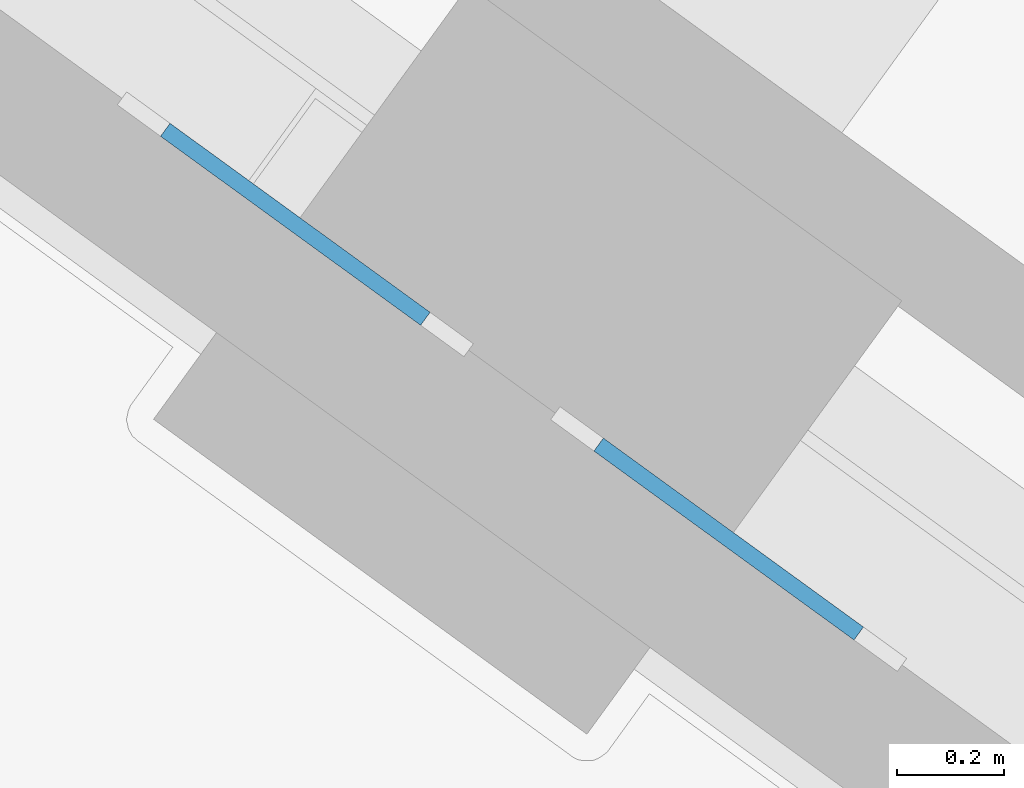
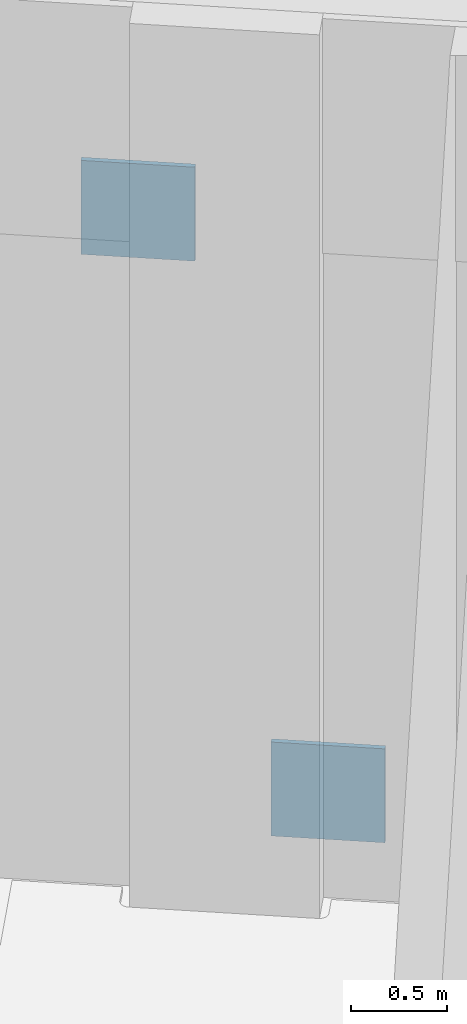
# One storey, part 9 of 18: 2 plates.
"""IFC4 building model written with IfcOpenShell, lengths in metres."""

from ifc_helpers import new_model, si_unit, direction, frame, origin, origin_2d, place, context, subcontext, project, spatial, rectangle, extrude, material, layer, layer_set, type_object, element, save


model = new_model("IFC4")

# Units and contexts
model_context = context("Model", 3, precision=1e-05, world=origin(), true_north=direction((0.0, 1.0)))
body_context = subcontext(model_context, "Body", "Model", "MODEL_VIEW")
ifc_project = project(units=[si_unit("LENGTHUNIT", "METRE"), si_unit("AREAUNIT", "SQUARE_METRE"), si_unit("VOLUMEUNIT", "CUBIC_METRE"), si_unit("PLANEANGLEUNIT", "RADIAN"), si_unit("MASSUNIT", "GRAM", prefix="KILO")], contexts=[model_context])

# Site, building, storey
site_placement = place(None, origin())
site = spatial("IfcSite", under=ifc_project, at=site_placement, CompositionType="ELEMENT")
building_placement = place(site_placement, origin())
building = spatial("IfcBuilding", under=site, at=building_placement, Name="Quipu Civic Tower", CompositionType="ELEMENT")
storey_placement = place(building_placement, frame((0.0, 0.0, 79.0)))
storey = spatial("IfcBuildingStorey", under=building, at=storey_placement, Name="L18", CompositionType="ELEMENT", Elevation=79.0)

# Plates
ifc_material = material(Name="Steel ASTM A572 Grade 50 (fy 345 MPa)", Category="steel")
ifc_layer = layer(ifc_material, 0.030029296875)
ifc_layer_set = layer_set([ifc_layer], Name="Steel ASTM A572 Grade 50 (fy 345 MPa)")
plate_type = type_object("IfcPlateType", Name="Cast in plate TD2", PredefinedType="SHEET", material=ifc_layer_set)
for number, where, z_axis, x_axis, name in (
    (1, (40.06591796875, 26.767822265625, 0.207275390625), (0.0, 0.0, 1.0), (0.809037511458, -0.587757011914, 0.0), "Cast-in plate TD2 L18 021"),
    (2, (39.2568359375, 27.35546875, 3.849853515625), (0.0, 0.0, 1.0), (0.809037511458, -0.587757011914, 0.0), "Cast-in plate TD2 L18 024"),
):
    element("IfcPlate", number, at=place(storey_placement, frame(where, z_axis=z_axis, x_axis=x_axis)), inside=storey, type_object=plate_type, Name=name, PredefinedType="SHEET", context=body_context, shape_type="SweptSolid", body=[
        extrude(rectangle(XDim=0.60009765625, YDim=0.030029296875, at=origin_2d()), origin(), (0.0, 0.0, 1.0), 0.60009765625),
    ])

save(model, "model.ifc")
